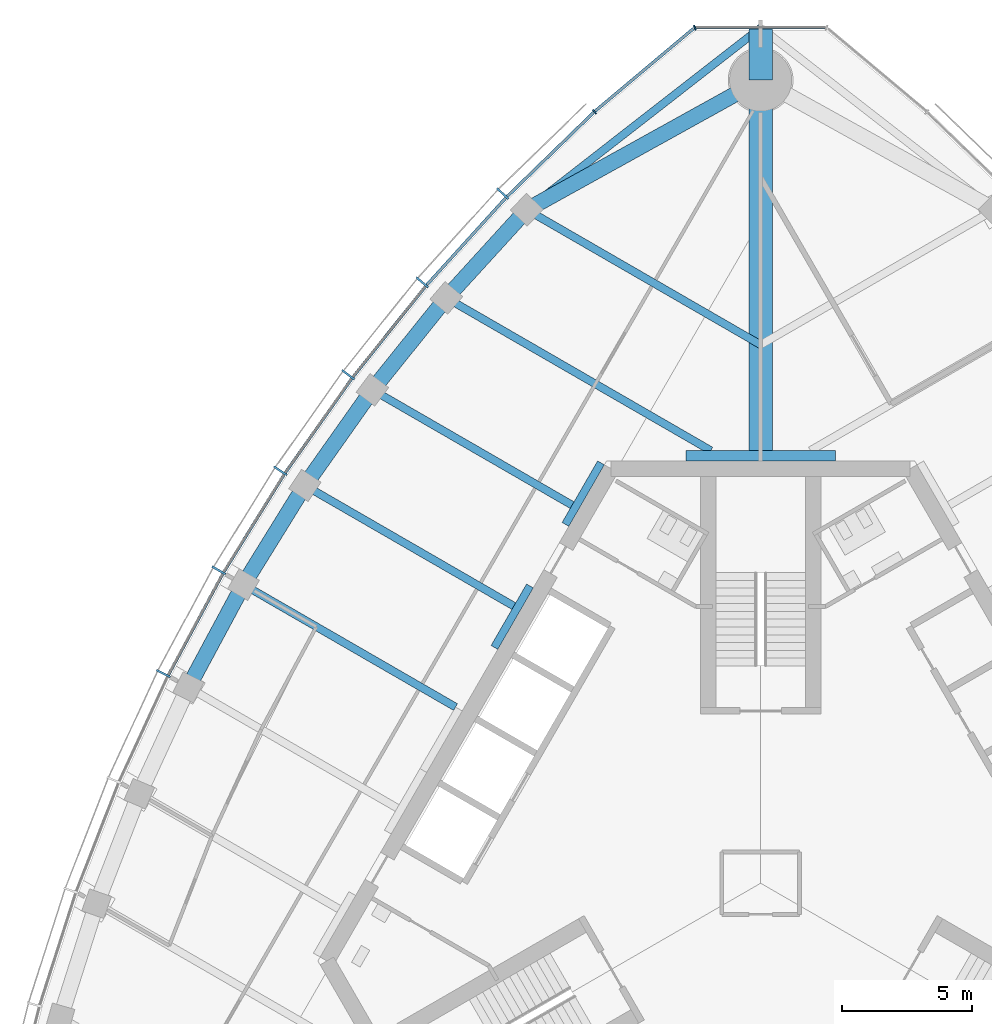
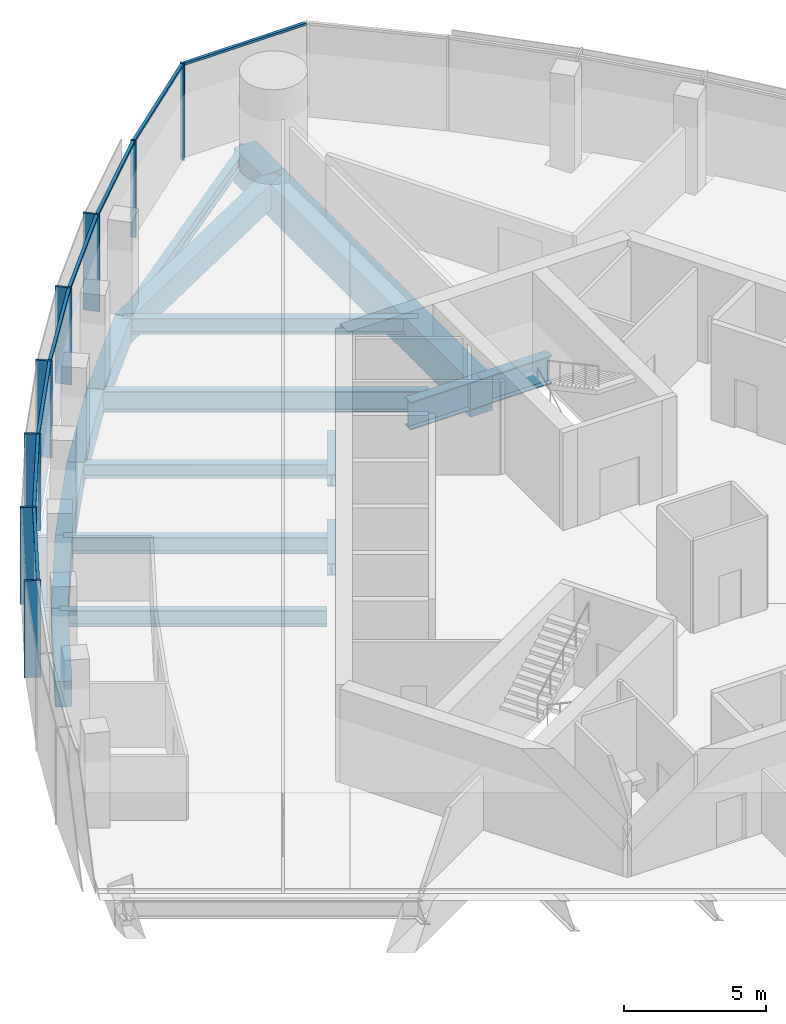
# One storey, part 5 of 16: 18 beams, 16 members, 2 elements without a shape of their own.
"""IFC4 building model written with IfcOpenShell, lengths in metres."""

from ifc_helpers import new_model, si_unit, direction, frame, origin, origin_2d, place, context, subcontext, project, spatial, rectangle, i_section, extrude, material, material_profile, profile_set, type_object, element, aggregate, save


model = new_model("IFC4")

# Units and contexts
model_context = context("Model", 3, precision=1e-05, world=origin(), true_north=direction((0.0, 1.0)))
body_context = subcontext(model_context, "Body", "Model", "MODEL_VIEW")
ifc_project = project(units=[si_unit("LENGTHUNIT", "METRE"), si_unit("AREAUNIT", "SQUARE_METRE"), si_unit("VOLUMEUNIT", "CUBIC_METRE"), si_unit("PLANEANGLEUNIT", "RADIAN"), si_unit("MASSUNIT", "GRAM", prefix="KILO")], contexts=[model_context])

# Site, building, storey
site_placement = place(None, origin())
site = spatial("IfcSite", under=ifc_project, at=site_placement, CompositionType="ELEMENT")
building_placement = place(site_placement, origin())
building = spatial("IfcBuilding", under=site, at=building_placement, Name="Trefoil Bronze Tower", CompositionType="ELEMENT")
storey_placement = place(building_placement, frame((0.0, 0.0, 309.89990234375)))
storey = spatial("IfcBuildingStorey", under=building, at=storey_placement, Name="L71", CompositionType="ELEMENT", Elevation=309.89990234375)

# Curtain wall, members
ifc_material_1 = material(Name="Tinted solar-control glass", Category="glass")
curtain_wall_type_1 = type_object("IfcCurtainWallType", Name="Bronze office curtain wall", PredefinedType="USERDEFINED", material=ifc_material_1)
curtain_wall_1_placement = place(storey_placement, origin())
curtain_wall_1 = element("IfcCurtainWall", 1, at=curtain_wall_1_placement, inside=storey, type_object=curtain_wall_type_1, Name="CW-A L71 F3", ObjectType="CURTAIN WALL", PredefinedType="USERDEFINED")
ifc_material_2 = material(Name="Bronze-finish aluminium", Category="aluminium")
ifc_material_profile_1 = material_profile(ifc_material_2, rectangle(XDim=0.60009765625, YDim=0.080078125, at=origin_2d()), Name="CW-A mullion")
ifc_profile_set_1 = profile_set([ifc_material_profile_1], Name="Bronze-finish aluminium")
member_type_1 = type_object("IfcMemberType", Name="Bronze office curtain wall mullion", PredefinedType="MULLION", material=ifc_profile_set_1)
member_1_placement = place(storey_placement, frame((-9.957275390625, 26.617431640625, 0.0), z_axis=(0.0, 0.0, 1.0), x_axis=(0.719001349715, -0.695008675564, 0.0)))
member_1 = element("IfcMember", 2, at=member_1_placement, type_object=member_type_1, Name="CW-A L71 F3 mullion 2", PredefinedType="MULLION", context=body_context, shape_type="SweptSolid", body=[
    extrude(rectangle(XDim=0.60009765625, YDim=0.080078125, at=origin_2d()), origin(), (0.0, 0.0, 1.0), 4.18017578125),
])
member_2_placement = place(storey_placement, frame((-13.064453125, 23.194091796875, 0.0), z_axis=(0.0, 0.0, 1.0), x_axis=(0.760781190165, -0.649008459646, 0.0)))
member_2 = element("IfcMember", 3, at=member_2_placement, type_object=member_type_1, Name="CW-A L71 F3 mullion 3", PredefinedType="MULLION", context=body_context, shape_type="SweptSolid", body=[
    extrude(rectangle(XDim=0.60009765625, YDim=0.080078125, at=origin_2d()), origin(), (0.0, 0.0, 1.0), 4.18017578125),
])
member_3_placement = place(storey_placement, frame((-15.922607421875, 19.627197265625, 0.0), z_axis=(0.0, 0.0, 1.0), x_axis=(0.799096076136, -0.601203344222, 0.0)))
member_3 = element("IfcMember", 4, at=member_3_placement, type_object=member_type_1, Name="CW-A L71 F3 mullion 4", PredefinedType="MULLION", context=body_context, shape_type="SweptSolid", body=[
    extrude(rectangle(XDim=0.60009765625, YDim=0.080078125, at=origin_2d()), origin(), (0.0, 0.0, 1.0), 4.18017578125),
])
member_4_placement = place(storey_placement, frame((-18.538330078125, 15.920166015625, 0.0), z_axis=(0.0, 0.0, 1.0), x_axis=(0.834159158089, -0.551523797289, 0.0)))
member_4 = element("IfcMember", 5, at=member_4_placement, type_object=member_type_1, Name="CW-A L71 F3 mullion 5", PredefinedType="MULLION", context=body_context, shape_type="SweptSolid", body=[
    extrude(rectangle(XDim=0.60009765625, YDim=0.080078125, at=origin_2d()), origin(), (0.0, 0.0, 1.0), 4.18017578125),
])
member_5_placement = place(storey_placement, frame((-20.916015625, 12.07568359375, 0.0), z_axis=(0.0, 0.0, 1.0), x_axis=(0.866025403784, -0.5, 0.0)))
member_5 = element("IfcMember", 6, at=member_5_placement, type_object=member_type_1, Name="CW-A L71 F3 mullion 6", PredefinedType="MULLION", context=body_context, shape_type="SweptSolid", body=[
    extrude(rectangle(XDim=0.60009765625, YDim=0.080078125, at=origin_2d()), origin(), (0.0, 0.0, 1.0), 4.18017578125),
])
member_6_placement = place(storey_placement, frame((-23.056396484375, 8.094482421875, 0.0), z_axis=(0.0, 0.0, 1.0), x_axis=(0.894713198289, -0.44664112306, 0.0)))
member_6 = element("IfcMember", 7, at=member_6_placement, type_object=member_type_1, Name="CW-A L71 F3 mullion 7", PredefinedType="MULLION", context=body_context, shape_type="SweptSolid", body=[
    extrude(rectangle(XDim=0.60009765625, YDim=0.080078125, at=origin_2d()), origin(), (0.0, 0.0, 1.0), 4.18017578125),
])
ifc_material_3 = material(Name="Bronze-finish aluminium", Category="aluminium")
ifc_material_profile_2 = material_profile(ifc_material_3, rectangle(XDim=0.1201171875, YDim=0.10009765625, at=origin_2d()), Name="CW-A transom")
ifc_profile_set_2 = profile_set([ifc_material_profile_2], Name="Bronze-finish aluminium")
member_type_2 = type_object("IfcMemberType", Name="Bronze office curtain wall transom", PredefinedType="USERDEFINED", material=ifc_profile_set_2)
member_7_placement = place(storey_placement, frame((-6.44921875, 29.7470703125, 4.130126953125), z_axis=(-0.717224617883, -0.696842053484, 0.0), x_axis=(0.696842053484, -0.717224617883, 0.0)))
member_7 = element("IfcMember", 8, at=member_7_placement, type_object=member_type_2, Name="CW-A L71 F3 transom 1", ObjectType="TRANSOM", PredefinedType="USERDEFINED", context=body_context, shape_type="SweptSolid", body=[
    extrude(rectangle(XDim=0.1201171875, YDim=0.10009765625, at=origin_2d()), origin(), (0.0, 0.0, 1.0), 4.6474609375),
])
member_8_placement = place(storey_placement, frame((-9.842529296875, 26.446533203125, 4.130126953125), z_axis=(-0.672068269674, -0.740489190264, 0.0), x_axis=(0.740489190264, -0.672068269674, 0.0)))
member_8 = element("IfcMember", 9, at=member_8_placement, type_object=member_type_2, Name="CW-A L71 F3 transom 2", ObjectType="TRANSOM", PredefinedType="USERDEFINED", context=body_context, shape_type="SweptSolid", body=[
    extrude(rectangle(XDim=0.1201171875, YDim=0.10009765625, at=origin_2d()), origin(), (0.0, 0.0, 1.0), 4.5244140625),
])
member_9_placement = place(storey_placement, frame((-12.939208984375, 23.03076171875, 4.130126953125), z_axis=(-0.625300648488, -0.780383943325, 0.0), x_axis=(0.780383943325, -0.625300648488, 0.0)))
member_9 = element("IfcMember", 10, at=member_9_placement, type_object=member_type_2, Name="CW-A L71 F3 transom 3", ObjectType="TRANSOM", PredefinedType="USERDEFINED", context=body_context, shape_type="SweptSolid", body=[
    extrude(rectangle(XDim=0.1201171875, YDim=0.10009765625, at=origin_2d()), origin(), (0.0, 0.0, 1.0), 4.472412109375),
])
member_10_placement = place(storey_placement, frame((-15.78759765625, 19.4716796875, 4.130126953125), z_axis=(-0.5765665752, -0.817050172488, 0.0), x_axis=(0.817050172488, -0.5765665752, 0.0)))
member_10 = element("IfcMember", 11, at=member_10_placement, type_object=member_type_2, Name="CW-A L71 F3 transom 4", ObjectType="TRANSOM", PredefinedType="USERDEFINED", context=body_context, shape_type="SweptSolid", body=[
    extrude(rectangle(XDim=0.1201171875, YDim=0.10009765625, at=origin_2d()), origin(), (0.0, 0.0, 1.0), 4.4384765625),
])
member_11_placement = place(storey_placement, frame((-18.394287109375, 15.7734375, 4.130126953125), z_axis=(-0.525978235299, -0.850498028212, 0.0), x_axis=(0.850498028212, -0.525978235299, 0.0)))
member_11 = element("IfcMember", 12, at=member_11_placement, type_object=member_type_2, Name="CW-A L71 F3 transom 5", ObjectType="TRANSOM", PredefinedType="USERDEFINED", context=body_context, shape_type="SweptSolid", body=[
    extrude(rectangle(XDim=0.1201171875, YDim=0.10009765625, at=origin_2d()), origin(), (0.0, 0.0, 1.0), 4.422119140625),
])
member_12_placement = place(storey_placement, frame((-20.76318359375, 11.93798828125, 4.130126953125), z_axis=(-0.473540024981, -0.880772300167, 0.0), x_axis=(0.880772300167, -0.473540024981, 0.0)))
member_12 = element("IfcMember", 13, at=member_12_placement, type_object=member_type_2, Name="CW-A L71 F3 transom 6", ObjectType="TRANSOM", PredefinedType="USERDEFINED", context=body_context, shape_type="SweptSolid", body=[
    extrude(rectangle(XDim=0.1201171875, YDim=0.10009765625, at=origin_2d()), origin(), (0.0, 0.0, 1.0), 4.422119140625),
])
aggregate(curtain_wall_1, [member_1, member_2, member_3, member_4, member_5, member_6, member_7, member_8, member_9, member_10, member_11, member_12])

ifc_material_4 = material(Name="Tinted solar-control glass", Category="glass")
curtain_wall_type_2 = type_object("IfcCurtainWallType", Name="Bronze rounded corner curtain wall", PredefinedType="USERDEFINED", material=ifc_material_4)
curtain_wall_2_placement = place(storey_placement, origin())
curtain_wall_2 = element("IfcCurtainWall", 14, at=curtain_wall_2_placement, inside=storey, type_object=curtain_wall_type_2, Name="CW-B L71 K2", ObjectType="CURTAIN WALL", PredefinedType="USERDEFINED")
ifc_material_5 = material(Name="Bronze-finish aluminium", Category="aluminium")
ifc_material_profile_3 = material_profile(ifc_material_5, rectangle(XDim=0.199951171875, YDim=0.06005859375, at=origin_2d()), Name="CW-B mullion")
ifc_profile_set_3 = profile_set([ifc_material_profile_3], Name="Bronze-finish aluminium")
member_type_3 = type_object("IfcMemberType", Name="Bronze rounded corner curtain wall mullion", PredefinedType="MULLION", material=ifc_profile_set_3)
member_13_placement = place(storey_placement, frame((-2.542236328125, 33.021484375, 0.0), z_axis=(0.0, 0.0, 1.0), x_axis=(0.342020143326, -0.939692620786, 0.0)))
member_13 = element("IfcMember", 15, at=member_13_placement, type_object=member_type_3, Name="CW-B L71 K2 mullion 3", PredefinedType="MULLION", context=body_context, shape_type="SweptSolid", body=[
    extrude(rectangle(XDim=0.199951171875, YDim=0.06005859375, at=origin_2d()), origin(), (0.0, 0.0, 1.0), 4.18017578125),
])
member_14_placement = place(storey_placement, frame((-6.4150390625, 29.77978515625, 0.0), z_axis=(0.0, 0.0, 1.0), x_axis=(0.642787609687, -0.766044443119, 0.0)))
member_14 = element("IfcMember", 16, at=member_14_placement, type_object=member_type_3, Name="CW-B L71 K2 mullion 4", PredefinedType="MULLION", context=body_context, shape_type="SweptSolid", body=[
    extrude(rectangle(XDim=0.199951171875, YDim=0.06005859375, at=origin_2d()), origin(), (0.0, 0.0, 1.0), 4.18017578125),
])
ifc_material_6 = material(Name="Bronze-finish aluminium", Category="aluminium")
ifc_material_profile_4 = material_profile(ifc_material_6, rectangle(XDim=0.1201171875, YDim=0.10009765625, at=origin_2d()), Name="CW-B transom")
ifc_profile_set_4 = profile_set([ifc_material_profile_4], Name="Bronze-finish aluminium")
member_type_4 = type_object("IfcMemberType", Name="Bronze rounded corner curtain wall transom", PredefinedType="USERDEFINED", material=ifc_profile_set_4)
member_15_placement = place(storey_placement, frame((2.47802734375, 33.027587890625, 4.130126953125), z_axis=(-1.0, 0.0, 0.0), x_axis=(0.0, -1.0, 0.0)))
member_15 = element("IfcMember", 17, at=member_15_placement, type_object=member_type_4, Name="CW-B L71 K2 transom 2", ObjectType="TRANSOM", PredefinedType="USERDEFINED", context=body_context, shape_type="SweptSolid", body=[
    extrude(rectangle(XDim=0.1201171875, YDim=0.10009765625, at=origin_2d()), origin(), (0.0, 0.0, 1.0), 4.9560546875),
])
member_16_placement = place(storey_placement, frame((-2.595458984375, 32.98486328125, 4.130126953125), z_axis=(-0.766040522511, -0.642792282056, 0.0), x_axis=(0.642792282056, -0.766040522511, 0.0)))
member_16 = element("IfcMember", 18, at=member_16_placement, type_object=member_type_4, Name="CW-B L71 K2 transom 3", ObjectType="TRANSOM", PredefinedType="USERDEFINED", context=body_context, shape_type="SweptSolid", body=[
    extrude(rectangle(XDim=0.1201171875, YDim=0.10009765625, at=origin_2d()), origin(), (0.0, 0.0, 1.0), 4.9560546875),
])
aggregate(curtain_wall_2, [member_13, member_14, member_15, member_16])

# Beams
ifc_material_7 = material(Name="Steel C355", Category="steel")
ifc_material_profile_5 = material_profile(ifc_material_7, i_section(OverallWidth=0.300048828125, OverallDepth=0.5, WebThickness=0.014404296875, FlangeThickness=0.028076171875, FilletRadius=0.027099609375, at=origin_2d()), Name="HEB 500")
ifc_profile_set_5 = profile_set([ifc_material_profile_5], Name="Steel C355")
beam_type_1 = type_object("IfcBeamType", Name="Core seat beam HEB 500", PredefinedType="BEAM", material=ifc_profile_set_5)
for number, where, z_axis, x_axis, name in (
    (19, (-6.163330078125, 16.22509765625, -0.449951171875), (-0.499969057507, -0.866043267704, 0.0), (0.866043267704, -0.499969057507, 0.0), "Core seat beam F3/-2 L71"),
    (20, (-8.905517578125, 11.47509765625, -0.449951171875), (-0.500035825175, -0.866004719122, 0.0), (0.866004719122, -0.500035825175, 0.0), "Core seat beam F3/-1 L71"),
):
    element("IfcBeam", number, at=place(storey_placement, frame(where, z_axis=z_axis, x_axis=x_axis)), inside=storey, type_object=beam_type_1, Name=name, PredefinedType="BEAM", context=body_context, shape_type="SweptSolid", body=[
        extrude(i_section(OverallWidth=0.300048828125, OverallDepth=0.5, WebThickness=0.014404296875, FlangeThickness=0.028076171875, FilletRadius=0.027099609375, at=origin_2d()), origin(), (0.0, 0.0, 1.0), 2.742431640625),
    ])
ifc_material_8 = material(Name="Steel C355", Category="steel")
ifc_material_profile_6 = material_profile(ifc_material_8, i_section(OverallWidth=0.39990234375, OverallDepth=1.199951171875, WebThickness=0.02001953125, FlangeThickness=0.0400390625, FilletRadius=0.010009765625, at=origin_2d()), Name="WPG 1200")
ifc_profile_set_6 = profile_set([ifc_material_profile_6], Name="Steel C355")
beam_type_2 = type_object("IfcBeamType", Name="Core seat beam WPG 1200", PredefinedType="BEAM", material=ifc_profile_set_6)
for number, where, z_axis, x_axis, name in (
    (21, (2.88671875, 16.5, -0.7998046875), (-1.0, 0.0, 0.0), (0.0, -1.0, 0.0), "Core seat beam F2/+3 L71"),
    (22, (0.0, 16.5, -0.7998046875), (-1.0, 0.0, 0.0), (0.0, -1.0, 0.0), "Core seat beam F3/-3 L71"),
):
    element("IfcBeam", number, at=place(storey_placement, frame(where, z_axis=z_axis, x_axis=x_axis)), inside=storey, type_object=beam_type_2, Name=name, PredefinedType="BEAM", context=body_context, shape_type="SweptSolid", body=[
        extrude(i_section(OverallWidth=0.39990234375, OverallDepth=1.199951171875, WebThickness=0.02001953125, FlangeThickness=0.0400390625, FilletRadius=0.010009765625, at=origin_2d()), origin(), (0.0, 0.0, 1.0), 2.88671875),
    ])
ifc_material_9 = material(Name="Concrete B80", Category="concrete")
ifc_material_profile_7 = material_profile(ifc_material_9, rectangle(XDim=0.89990234375, YDim=1.5, at=origin_2d()), Name="RC 900x1500")
ifc_profile_set_7 = profile_set([ifc_material_profile_7], Name="Concrete B80")
beam_type_3 = type_object("IfcBeamType", Name="Corner cantilever RC 900x1500", PredefinedType="BEAM", material=ifc_profile_set_7)
beam_1_placement = place(storey_placement, frame((0.0, 31.0, -0.949951171875), z_axis=(0.0, 1.0, 0.0), x_axis=(-1.0, 0.0, 0.0)))
element("IfcBeam", 23, at=beam_1_placement, inside=storey, type_object=beam_type_3, Name="Corner cantilever K2 L71", PredefinedType="BEAM", context=body_context, shape_type="SweptSolid", body=[
    extrude(rectangle(XDim=0.89990234375, YDim=1.5, at=origin_2d()), origin(), (0.0, 0.0, 1.0), 2.019775390625),
])
ifc_material_10 = material(Name="Steel C355", Category="steel")
ifc_material_profile_8 = material_profile(ifc_material_10, i_section(OverallWidth=0.300048828125, OverallDepth=0.60009765625, WebThickness=0.015380859375, FlangeThickness=0.030029296875, FilletRadius=0.027099609375, at=origin_2d()), Name="HEB 600")
ifc_profile_set_8 = profile_set([ifc_material_profile_8], Name="Steel C355")
beam_type_4 = type_object("IfcBeamType", Name="Corner edge beam HEB 600", PredefinedType="BEAM", material=ifc_profile_set_8)
beam_2_placement = place(storey_placement, frame((-9.02734375, 25.99658203125, -0.5), z_axis=(0.789270604977, 0.614045529354, 0.0), x_axis=(-0.614045529354, 0.789270604977, 0.0)))
element("IfcBeam", 24, at=beam_2_placement, inside=storey, type_object=beam_type_4, Name="Corner edge beam F3B L71", PredefinedType="BEAM", context=body_context, shape_type="SweptSolid", body=[
    extrude(i_section(OverallWidth=0.300048828125, OverallDepth=0.60009765625, WebThickness=0.015380859375, FlangeThickness=0.030029296875, FilletRadius=0.027099609375, at=origin_2d()), origin(), (0.0, 0.0, 1.0), 11.4375),
])
ifc_material_11 = material(Name="Concrete B80", Category="concrete")
ifc_material_profile_9 = material_profile(ifc_material_11, rectangle(XDim=0.89990234375, YDim=1.5, at=origin_2d()), Name="RC 900x1500")
ifc_profile_set_9 = profile_set([ifc_material_profile_9], Name="Concrete B80")
beam_type_5 = type_object("IfcBeamType", Name="Corner girder RC 900x1500", PredefinedType="BEAM", material=ifc_profile_set_9)
beam_3_placement = place(storey_placement, frame((0.0, 16.300048828125, -0.949951171875), z_axis=(0.0, 1.0, 0.0), x_axis=(-1.0, 0.0, 0.0)))
element("IfcBeam", 25, at=beam_3_placement, inside=storey, type_object=beam_type_5, Name="Corner girder K2 L71", PredefinedType="BEAM", context=body_context, shape_type="SweptSolid", body=[
    extrude(rectangle(XDim=0.89990234375, YDim=1.5, at=origin_2d()), origin(), (0.0, 0.0, 1.0), 14.699951171875),
])
ifc_material_12 = material(Name="Concrete B80", Category="concrete")
ifc_material_profile_10 = material_profile(ifc_material_12, rectangle(XDim=0.60009765625, YDim=1.10009765625, at=origin_2d()), Name="RC 600x1100")
ifc_profile_set_10 = profile_set([ifc_material_profile_10], Name="Concrete B80")
beam_type_6 = type_object("IfcBeamType", Name="End spandrel beam RC 600x1100", PredefinedType="SPANDREL", material=ifc_profile_set_10)
beam_4_placement = place(storey_placement, frame((0.0, 31.0, -0.75), z_axis=(-0.874641085074, -0.484771051426, 0.0), x_axis=(0.484771051426, -0.874641085074, 0.0)))
element("IfcBeam", 26, at=beam_4_placement, inside=storey, type_object=beam_type_6, Name="Spandrel F3.1 L71", PredefinedType="SPANDREL", context=body_context, shape_type="SweptSolid", body=[
    extrude(rectangle(XDim=0.60009765625, YDim=1.10009765625, at=origin_2d()), origin(), (0.0, 0.0, 1.0), 10.3212890625),
])
ifc_material_13 = material(Name="Steel C355", Category="steel")
ifc_material_profile_11 = material_profile(ifc_material_13, i_section(OverallWidth=0.300048828125, OverallDepth=0.60009765625, WebThickness=0.015380859375, FlangeThickness=0.030029296875, FilletRadius=0.027099609375, at=origin_2d()), Name="HEB 600")
ifc_profile_set_11 = profile_set([ifc_material_profile_11], Name="Steel C355")
beam_type_7 = type_object("IfcBeamType", Name="Floor beam HEB 600", PredefinedType="BEAM", material=ifc_profile_set_11)
beam_5_placement = place(storey_placement, frame((-14.98486328125, 19.043701171875, -0.5), z_axis=(0.866034827411, -0.499983677445, 0.0), x_axis=(0.499983677445, 0.866034827411, 0.0)))
element("IfcBeam", 27, at=beam_5_placement, inside=storey, type_object=beam_type_7, Name="Floor beam F3/-2 L71", PredefinedType="BEAM", context=body_context, shape_type="SweptSolid", body=[
    extrude(i_section(OverallWidth=0.300048828125, OverallDepth=0.60009765625, WebThickness=0.015380859375, FlangeThickness=0.030029296875, FilletRadius=0.027099609375, at=origin_2d()), origin(), (0.0, 0.0, 1.0), 8.899169921875),
])
ifc_material_14 = material(Name="Steel C355", Category="steel")
ifc_material_profile_12 = material_profile(ifc_material_14, i_section(OverallWidth=0.300048828125, OverallDepth=0.699951171875, WebThickness=0.01708984375, FlangeThickness=0.031982421875, FilletRadius=0.027099609375, at=origin_2d()), Name="HEB 700")
ifc_profile_set_12 = profile_set([ifc_material_profile_12], Name="Steel C355")
beam_type_8 = type_object("IfcBeamType", Name="Floor beam HEB 700", PredefinedType="BEAM", material=ifc_profile_set_12)
beam_6_placement = place(storey_placement, frame((-9.02734375, 25.99658203125, -0.5498046875), z_axis=(0.866026453994, -0.499998180979, 0.0), x_axis=(0.499998180979, 0.866026453994, 0.0)))
element("IfcBeam", 28, at=beam_6_placement, inside=storey, type_object=beam_type_8, Name="Floor beam F3/-4 L71", PredefinedType="BEAM", context=body_context, shape_type="SweptSolid", body=[
    extrude(i_section(OverallWidth=0.300048828125, OverallDepth=0.699951171875, WebThickness=0.01708984375, FlangeThickness=0.031982421875, FilletRadius=0.027099609375, at=origin_2d()), origin(), (0.0, 0.0, 1.0), 10.423828125),
])
beam_7_placement = place(storey_placement, frame((-17.593994140625, 15.35400390625, -0.5498046875), z_axis=(0.866026261222, -0.499998514871, 0.0), x_axis=(0.499998514871, 0.866026261222, 0.0)))
element("IfcBeam", 29, at=beam_7_placement, inside=storey, type_object=beam_type_8, Name="Floor beam F3/-1 L71", PredefinedType="BEAM", context=body_context, shape_type="SweptSolid", body=[
    extrude(i_section(OverallWidth=0.300048828125, OverallDepth=0.699951171875, WebThickness=0.01708984375, FlangeThickness=0.031982421875, FilletRadius=0.027099609375, at=origin_2d()), origin(), (0.0, 0.0, 1.0), 9.31396484375),
])
beam_8_placement = place(storey_placement, frame((-19.96337890625, 11.52587890625, -0.5498046875), z_axis=(0.866029875693, -0.499992254348, 0.0), x_axis=(0.499992254348, 0.866029875693, 0.0)))
element("IfcBeam", 30, at=beam_8_placement, inside=storey, type_object=beam_type_8, Name="Floor beam F3/+0 L71", PredefinedType="BEAM", context=body_context, shape_type="SweptSolid", body=[
    extrude(i_section(OverallWidth=0.300048828125, OverallDepth=0.699951171875, WebThickness=0.01708984375, FlangeThickness=0.031982421875, FilletRadius=0.027099609375, at=origin_2d()), origin(), (0.0, 0.0, 1.0), 9.451904296875),
])
ifc_material_15 = material(Name="Steel C355", Category="steel")
ifc_material_profile_13 = material_profile(ifc_material_15, i_section(OverallWidth=0.300048828125, OverallDepth=0.89990234375, WebThickness=0.0185546875, FlangeThickness=0.034912109375, FilletRadius=0.030029296875, at=origin_2d()), Name="HEB 900")
ifc_profile_set_13 = profile_set([ifc_material_profile_13], Name="Steel C355")
beam_type_9 = type_object("IfcBeamType", Name="Floor beam HEB 900", PredefinedType="BEAM", material=ifc_profile_set_13)
beam_9_placement = place(storey_placement, frame((-12.131591796875, 22.5927734375, -0.64990234375), z_axis=(0.866017581749, -0.500013547917, 0.0), x_axis=(0.500013547917, 0.866017581749, 0.0)))
element("IfcBeam", 31, at=beam_9_placement, inside=storey, type_object=beam_type_9, Name="Floor beam F3/-3 L71", PredefinedType="BEAM", context=body_context, shape_type="SweptSolid", body=[
    extrude(i_section(OverallWidth=0.300048828125, OverallDepth=0.89990234375, WebThickness=0.0185546875, FlangeThickness=0.034912109375, FilletRadius=0.030029296875, at=origin_2d()), origin(), (0.0, 0.0, 1.0), 11.785400390625),
])
ifc_material_16 = material(Name="Concrete B80", Category="concrete")
ifc_material_profile_14 = material_profile(ifc_material_16, rectangle(XDim=0.60009765625, YDim=1.10009765625, at=origin_2d()), Name="RC 600x1100")
ifc_profile_set_14 = profile_set([ifc_material_profile_14], Name="Concrete B80")
beam_type_10 = type_object("IfcBeamType", Name="Spandrel beam RC 600x1100", PredefinedType="SPANDREL", material=ifc_profile_set_14)
beam_10_placement = place(storey_placement, frame((-9.02734375, 25.99658203125, -0.75), z_axis=(-0.673845775847, -0.738872025707, 0.0), x_axis=(0.738872025707, -0.673845775847, 0.0)))
element("IfcBeam", 32, at=beam_10_placement, inside=storey, type_object=beam_type_10, Name="Spandrel F3.2 L71", PredefinedType="SPANDREL", context=body_context, shape_type="SweptSolid", body=[
    extrude(rectangle(XDim=0.60009765625, YDim=1.10009765625, at=origin_2d()), origin(), (0.0, 0.0, 1.0), 4.606689453125),
])
beam_11_placement = place(storey_placement, frame((-12.131591796875, 22.5927734375, -0.75), z_axis=(-0.626569682592, -0.779365403939, 0.0), x_axis=(0.779365403939, -0.626569682592, 0.0)))
element("IfcBeam", 33, at=beam_11_placement, inside=storey, type_object=beam_type_10, Name="Spandrel F3.3 L71", PredefinedType="SPANDREL", context=body_context, shape_type="SweptSolid", body=[
    extrude(rectangle(XDim=0.60009765625, YDim=1.10009765625, at=origin_2d()), origin(), (0.0, 0.0, 1.0), 4.5537109375),
])
beam_12_placement = place(storey_placement, frame((-14.98486328125, 19.043701171875, -0.75), z_axis=(-0.577368105169, -0.816483968693, 0.0), x_axis=(0.816483968693, -0.577368105169, 0.0)))
element("IfcBeam", 34, at=beam_12_placement, inside=storey, type_object=beam_type_10, Name="Spandrel F3.4 L71", PredefinedType="SPANDREL", context=body_context, shape_type="SweptSolid", body=[
    extrude(rectangle(XDim=0.60009765625, YDim=1.10009765625, at=origin_2d()), origin(), (0.0, 0.0, 1.0), 4.51904296875),
])
beam_13_placement = place(storey_placement, frame((-17.593994140625, 15.35400390625, -0.75), z_axis=(-0.526289271956, -0.850305593433, 0.0), x_axis=(0.850305593433, -0.526289271956, 0.0)))
element("IfcBeam", 35, at=beam_13_placement, inside=storey, type_object=beam_type_10, Name="Spandrel F3.5 L71", PredefinedType="SPANDREL", context=body_context, shape_type="SweptSolid", body=[
    extrude(rectangle(XDim=0.60009765625, YDim=1.10009765625, at=origin_2d()), origin(), (0.0, 0.0, 1.0), 4.501953125),
])
beam_14_placement = place(storey_placement, frame((-19.96337890625, 11.52587890625, -0.75), z_axis=(-0.473245885676, -0.880930378458, 0.0), x_axis=(0.880930378458, -0.473245885676, 0.0)))
element("IfcBeam", 36, at=beam_14_placement, inside=storey, type_object=beam_type_10, Name="Spandrel F3.6 L71", PredefinedType="SPANDREL", context=body_context, shape_type="SweptSolid", body=[
    extrude(rectangle(XDim=0.60009765625, YDim=1.10009765625, at=origin_2d()), origin(), (0.0, 0.0, 1.0), 4.502197265625),
])

save(model, "model.ifc")
